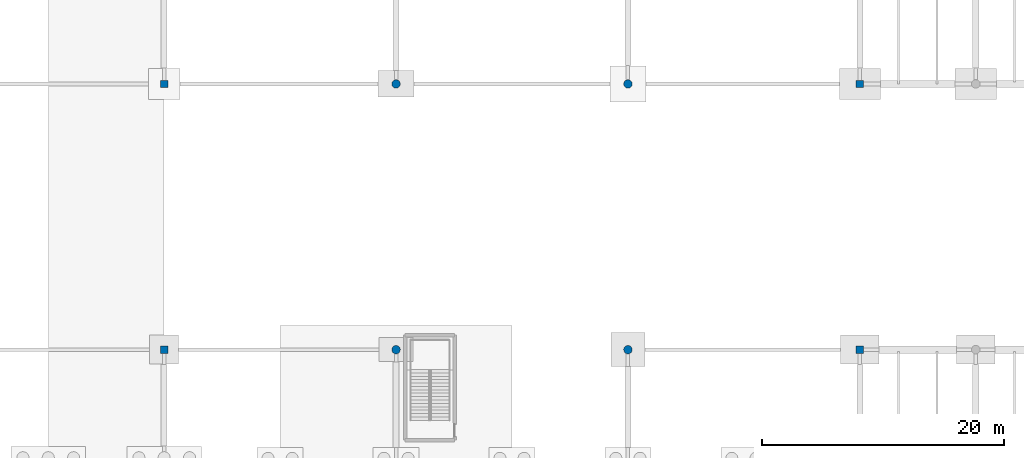
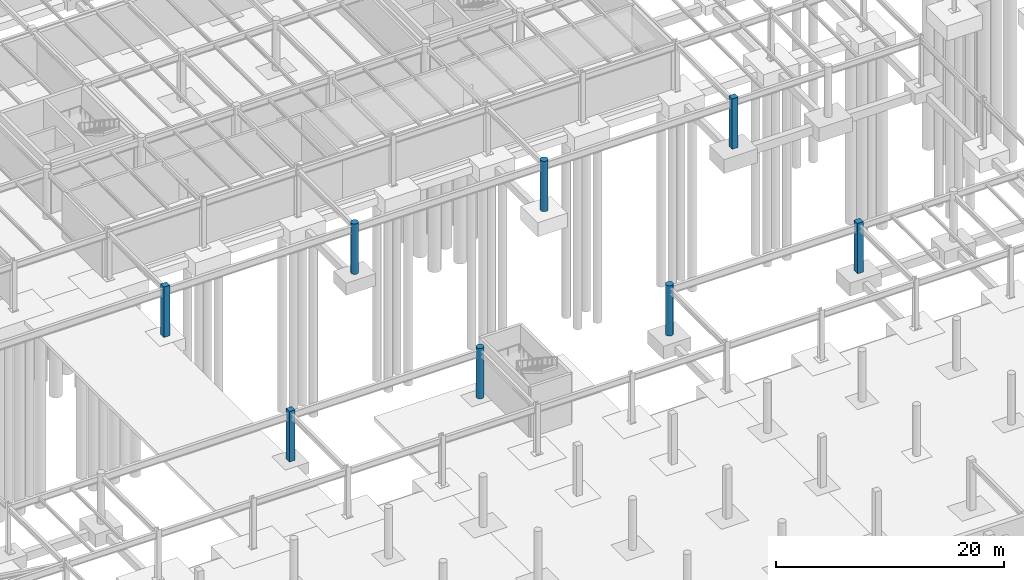
# One storey, part 21 of 50: 8 columns.
"""IFC4 building model written with IfcOpenShell, lengths in metres."""

from ifc_helpers import new_model, si_unit, direction, frame, origin, origin_2d, place, context, subcontext, project, spatial, rectangle, circle, extrude, material, material_profile, profile_set, type_object, element, save


model = new_model("IFC4")

# Units and contexts
model_context = context("Model", 3, precision=1e-05, world=origin(), true_north=direction((0.0, 1.0)))
body_context = subcontext(model_context, "Body", "Model", "MODEL_VIEW")
ifc_project = project(units=[si_unit("LENGTHUNIT", "METRE"), si_unit("AREAUNIT", "SQUARE_METRE"), si_unit("VOLUMEUNIT", "CUBIC_METRE"), si_unit("PLANEANGLEUNIT", "RADIAN"), si_unit("MASSUNIT", "GRAM", prefix="KILO")], contexts=[model_context])

# Site, building, storey
site_placement = place(None, origin())
site = spatial("IfcSite", under=ifc_project, at=site_placement, CompositionType="ELEMENT")
building_placement = place(site_placement, origin())
building = spatial("IfcBuilding", under=site, at=building_placement, Name="Yeouljin Market Hall", CompositionType="ELEMENT")
storey_placement = place(building_placement, frame((0.0, 0.0, -5.39990234375)))
storey = spatial("IfcBuildingStorey", under=building, at=storey_placement, Name="B1", CompositionType="ELEMENT", Elevation=-5.39990234375)

# Columns
ifc_material_1 = material(Name="Concrete C35/45", Category="concrete")
ifc_material_profile_1 = material_profile(ifc_material_1, rectangle(XDim=0.60009765625, YDim=0.60009765625, at=origin_2d()), Name="RC-600x600")
ifc_profile_set_1 = profile_set([ifc_material_profile_1], Name="Concrete C35/45")
column_type_1 = type_object("IfcColumnType", Name="Col_RC-600x600", PredefinedType="COLUMN", material=ifc_profile_set_1)
for number, where, z_axis, x_axis, name in (
    (1, (64.199951171875, 46.0, 0.0), (0.0, 0.0, 1.0), (1.0, 0.0, 0.0), "Column G-08-05 (B1)"),
    (2, (64.199951171875, 68.0, 0.0), (0.0, 0.0, 1.0), (1.0, 0.0, 0.0), "Column G-08-07 (B1)"),
    (3, (121.800048828125, 46.0, 0.0), (0.0, 0.0, 1.0), (1.0, 0.0, 0.0), "Column G-14-05 (B1)"),
    (4, (121.800048828125, 68.0, 0.0), (0.0, 0.0, 1.0), (1.0, 0.0, 0.0), "Column G-14-07 (B1)"),
):
    element("IfcColumn", number, at=place(storey_placement, frame(where, z_axis=z_axis, x_axis=x_axis)), inside=storey, type_object=column_type_1, Name=name, PredefinedType="COLUMN", context=body_context, shape_type="SweptSolid", body=[
        extrude(rectangle(XDim=0.60009765625, YDim=0.60009765625, at=origin_2d()), origin(), (0.0, 0.0, 1.0), 5.39990234375),
    ])
ifc_material_2 = material(Name="Concrete C35/45", Category="concrete")
ifc_material_profile_2 = material_profile(ifc_material_2, circle(Radius=0.35009765625, at=origin_2d()), Name="RC-D700")
ifc_profile_set_2 = profile_set([ifc_material_profile_2], Name="Concrete C35/45")
column_type_2 = type_object("IfcColumnType", Name="Col_RC-D700", PredefinedType="COLUMN", material=ifc_profile_set_2)
for number, where, z_axis, x_axis, name in (
    (5, (83.39990234375, 46.0, 0.0), (0.0, 0.0, 1.0), (1.0, 0.0, 0.0), "Column G-10-05 (B1)"),
    (6, (83.39990234375, 68.0, 0.0), (0.0, 0.0, 1.0), (1.0, 0.0, 0.0), "Column G-10-07 (B1)"),
    (7, (102.60009765625, 46.0, 0.0), (0.0, 0.0, 1.0), (1.0, 0.0, 0.0), "Column G-12-05 (B1)"),
    (8, (102.60009765625, 68.0, 0.0), (0.0, 0.0, 1.0), (1.0, 0.0, 0.0), "Column G-12-07 (B1)"),
):
    element("IfcColumn", number, at=place(storey_placement, frame(where, z_axis=z_axis, x_axis=x_axis)), inside=storey, type_object=column_type_2, Name=name, PredefinedType="COLUMN", context=body_context, shape_type="SweptSolid", body=[
        extrude(circle(Radius=0.35009765625, at=origin_2d()), origin(), (0.0, 0.0, 1.0), 5.39990234375),
    ])

save(model, "model.ifc")
